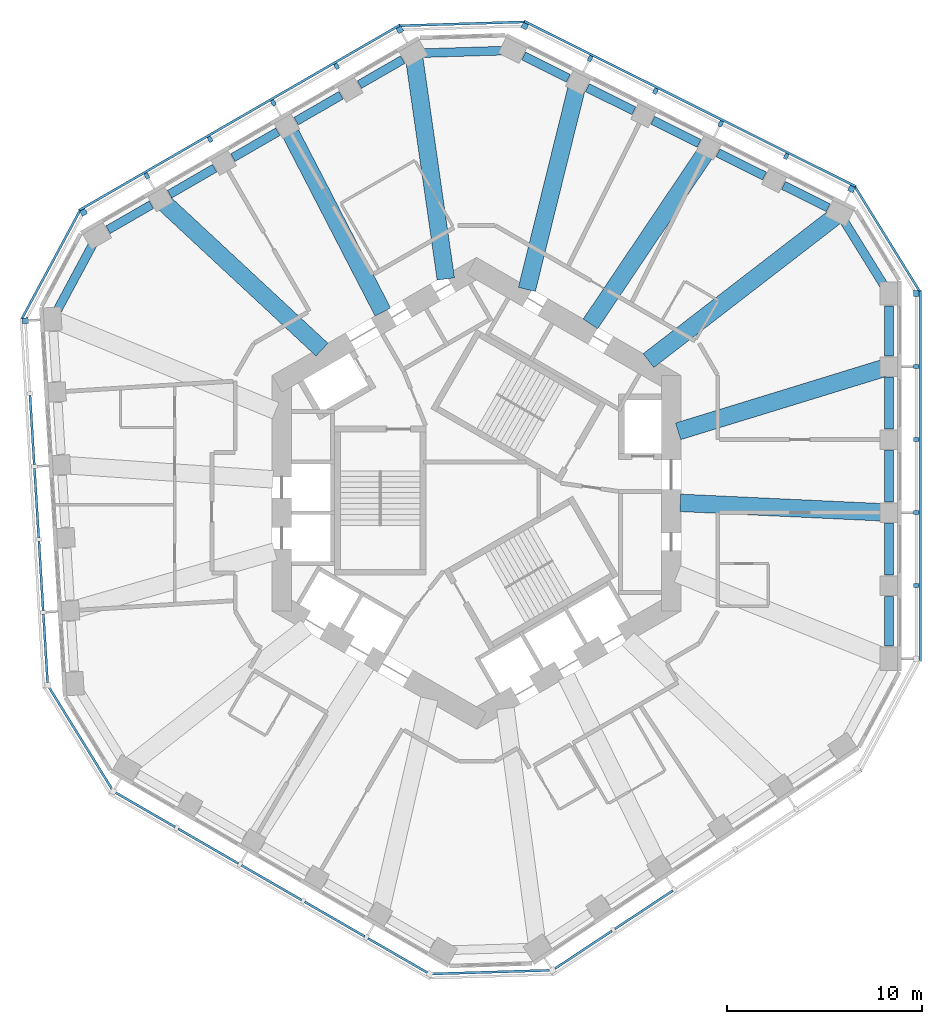
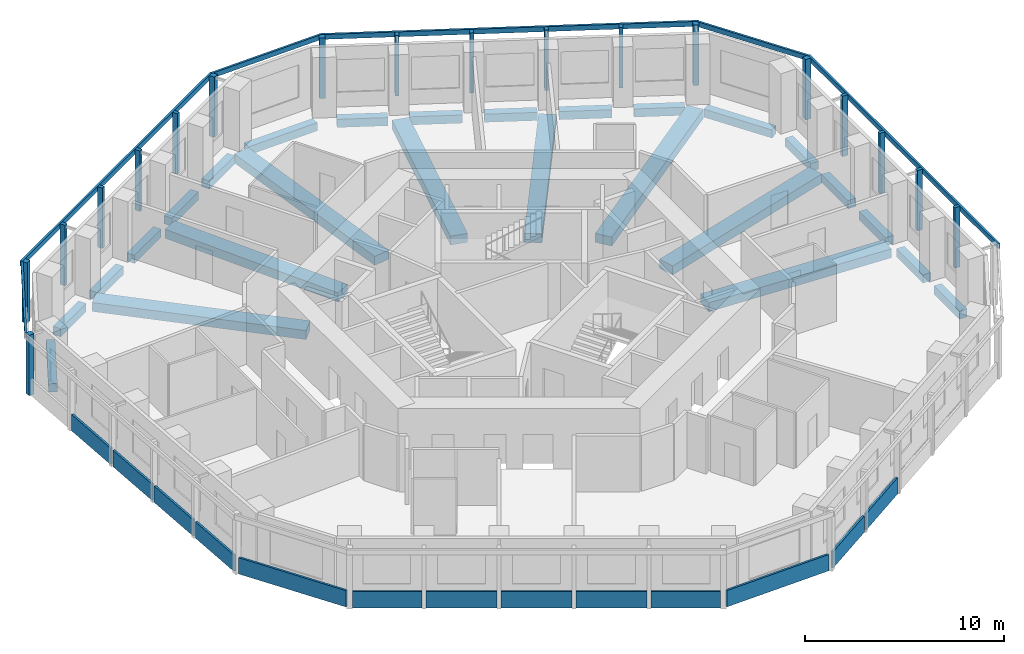
# One storey, part 2 of 11: 26 beams, 24 members, 13 plates, 11 elements without a shape of their own.
"""IFC4 building model written with IfcOpenShell, lengths in metres."""

from ifc_helpers import new_model, si_unit, direction, frame, origin, origin_2d, place, context, subcontext, project, spatial, rectangle, extrude, material, layer, layer_set, material_profile, profile_set, type_object, element, aggregate, save


model = new_model("IFC4")

# Units and contexts
model_context = context("Model", 3, precision=1e-05, world=origin(), true_north=direction((0.0, 1.0)))
body_context = subcontext(model_context, "Body", "Model", "MODEL_VIEW")
ifc_project = project(units=[si_unit("LENGTHUNIT", "METRE"), si_unit("AREAUNIT", "SQUARE_METRE"), si_unit("VOLUMEUNIT", "CUBIC_METRE"), si_unit("PLANEANGLEUNIT", "RADIAN"), si_unit("MASSUNIT", "GRAM", prefix="KILO")], contexts=[model_context])

# Site, building, storey
site_placement = place(None, origin())
site = spatial("IfcSite", under=ifc_project, at=site_placement, CompositionType="ELEMENT")
building_placement = place(site_placement, origin())
building = spatial("IfcBuilding", under=site, at=building_placement, Name="Vanh Sen Convention Tower", CompositionType="ELEMENT")
storey_placement = place(building_placement, frame((0.0, 0.0, 154.0)))
storey = spatial("IfcBuildingStorey", under=building, at=storey_placement, Name="L37", CompositionType="ELEMENT", Elevation=154.0)

# Curtain wall, member
ifc_material_1 = material(Name="Concrete C50/60", Category="concrete")
curtain_wall_type = type_object("IfcCurtainWallType", Name="Outer skin office zone", PredefinedType="NOTDEFINED", material=ifc_material_1)
curtain_wall_1_placement = place(storey_placement, origin())
curtain_wall_1 = element("IfcCurtainWall", 1, at=curtain_wall_1_placement, inside=storey, type_object=curtain_wall_type, Name="OUTER SKIN E L37", PredefinedType="NOTDEFINED")
ifc_material_profile_1 = material_profile(ifc_material_1, rectangle(XDim=0.300048828125, YDim=0.300048828125, at=origin_2d()), Name="Outer skin precast corner fin 300 x 300")
ifc_profile_set_1 = profile_set([ifc_material_profile_1], Name="Concrete C50/60")
member_type_1 = type_object("IfcMemberType", Name="Outer skin precast corner fin 300 x 300", PredefinedType="MULLION", material=ifc_profile_set_1)
member_1_placement = place(storey_placement, frame((22.60009765625, 10.26953125, 0.0), z_axis=(0.0, 0.0, 1.0), x_axis=(0.0, 1.0, 0.0)))
member_1 = element("IfcMember", 2, at=member_1_placement, type_object=member_type_1, Name="OUTER SKIN CORNER FIN 6 E L37", PredefinedType="MULLION", context=body_context, shape_type="SweptSolid", body=[
    extrude(rectangle(XDim=0.300048828125, YDim=0.300048828125, at=origin_2d()), origin(), (0.0, 0.0, 1.0), 3.699951171875),
])

# Curtain wall, members
curtain_wall_2_placement = place(storey_placement, origin())
curtain_wall_2 = element("IfcCurtainWall", 3, at=curtain_wall_2_placement, inside=storey, type_object=curtain_wall_type, Name="OUTER SKIN NE L37", PredefinedType="NOTDEFINED")
member_2_placement = place(storey_placement, frame((19.274658203125, 15.643310546875, 0.0), z_axis=(0.0, 0.0, 1.0), x_axis=(-0.894934361602, 0.44619781311, 0.0)))
member_2 = element("IfcMember", 4, at=member_2_placement, type_object=member_type_1, Name="OUTER SKIN CORNER FIN 1 NE L37", PredefinedType="MULLION", context=body_context, shape_type="SweptSolid", body=[
    extrude(rectangle(XDim=0.300048828125, YDim=0.300048828125, at=origin_2d()), origin(), (0.0, 0.0, 1.0), 3.699951171875),
])
member_3_placement = place(storey_placement, frame((2.476318359375, 24.0185546875, 0.0), z_axis=(0.0, 0.0, 1.0), x_axis=(-0.894934361602, 0.44619781311, 0.0)))
member_3 = element("IfcMember", 5, at=member_3_placement, type_object=member_type_1, Name="OUTER SKIN CORNER FIN 6 NE L37", PredefinedType="MULLION", context=body_context, shape_type="SweptSolid", body=[
    extrude(rectangle(XDim=0.300048828125, YDim=0.300048828125, at=origin_2d()), origin(), (0.0, 0.0, 1.0), 3.699951171875),
])

curtain_wall_3_placement = place(storey_placement, origin())
curtain_wall_3 = element("IfcCurtainWall", 6, at=curtain_wall_3_placement, inside=storey, type_object=curtain_wall_type, Name="OUTER SKIN NW L37", PredefinedType="NOTDEFINED")
member_4_placement = place(storey_placement, frame((-3.93798828125, 23.822509765625, 0.0), z_axis=(0.0, 0.0, 1.0), x_axis=(-0.866025403784, -0.5, 0.0)))
member_4 = element("IfcMember", 7, at=member_4_placement, type_object=member_type_1, Name="OUTER SKIN CORNER FIN 1 NW L37", PredefinedType="MULLION", context=body_context, shape_type="SweptSolid", body=[
    extrude(rectangle(XDim=0.300048828125, YDim=0.300048828125, at=origin_2d()), origin(), (0.0, 0.0, 1.0), 3.699951171875),
])
member_5_placement = place(storey_placement, frame((-20.193603515625, 14.4375, 0.0), z_axis=(0.0, 0.0, 1.0), x_axis=(-0.866025403784, -0.5, 0.0)))
member_5 = element("IfcMember", 8, at=member_5_placement, type_object=member_type_1, Name="OUTER SKIN CORNER FIN 6 NW L37", PredefinedType="MULLION", context=body_context, shape_type="SweptSolid", body=[
    extrude(rectangle(XDim=0.300048828125, YDim=0.300048828125, at=origin_2d()), origin(), (0.0, 0.0, 1.0), 3.699951171875),
])

# Curtain wall, member
curtain_wall_4_placement = place(storey_placement, origin())
curtain_wall_4 = element("IfcCurtainWall", 9, at=curtain_wall_4_placement, inside=storey, type_object=curtain_wall_type, Name="OUTER SKIN W L37", PredefinedType="NOTDEFINED")
member_6_placement = place(storey_placement, frame((-23.184814453125, 8.87060546875, 0.0), z_axis=(0.0, 0.0, 1.0), x_axis=(0.061048539535, -0.998134798422, 0.0)))
member_6 = element("IfcMember", 10, at=member_6_placement, type_object=member_type_1, Name="OUTER SKIN CORNER FIN 1 W L37", PredefinedType="MULLION", context=body_context, shape_type="SweptSolid", body=[
    extrude(rectangle(XDim=0.300048828125, YDim=0.300048828125, at=origin_2d()), origin(), (0.0, 0.0, 1.0), 3.699951171875),
])

# Member
ifc_material_profile_2 = material_profile(ifc_material_1, rectangle(XDim=0.199951171875, YDim=0.300048828125, at=origin_2d()), Name="Outer skin precast fin 200 x 300")
ifc_profile_set_2 = profile_set([ifc_material_profile_2], Name="Concrete C50/60")
member_type_2 = type_object("IfcMemberType", Name="Outer skin precast fin 200 x 300", PredefinedType="MULLION", material=ifc_profile_set_2)
member_7_placement = place(storey_placement, frame((22.60009765625, -4.746826171875, 0.0), z_axis=(0.0, 0.0, 1.0), x_axis=(0.0, 1.0, 0.0)))
member_7 = element("IfcMember", 11, at=member_7_placement, type_object=member_type_2, Name="OUTER SKIN fin 2 E L37", PredefinedType="MULLION", context=body_context, shape_type="SweptSolid", body=[
    extrude(rectangle(XDim=0.199951171875, YDim=0.300048828125, at=origin_2d()), origin(), (0.0, 0.0, 1.0), 3.699951171875),
])

member_8_placement = place(storey_placement, frame((22.60009765625, -0.992919921875, 0.0), z_axis=(0.0, 0.0, 1.0), x_axis=(0.0, 1.0, 0.0)))
member_8 = element("IfcMember", 12, at=member_8_placement, type_object=member_type_2, Name="OUTER SKIN fin 3 E L37", PredefinedType="MULLION", context=body_context, shape_type="SweptSolid", body=[
    extrude(rectangle(XDim=0.199951171875, YDim=0.300048828125, at=origin_2d()), origin(), (0.0, 0.0, 1.0), 3.699951171875),
])

member_9_placement = place(storey_placement, frame((22.60009765625, 2.76123046875, 0.0), z_axis=(0.0, 0.0, 1.0), x_axis=(0.0, 1.0, 0.0)))
member_9 = element("IfcMember", 13, at=member_9_placement, type_object=member_type_2, Name="OUTER SKIN fin 4 E L37", PredefinedType="MULLION", context=body_context, shape_type="SweptSolid", body=[
    extrude(rectangle(XDim=0.199951171875, YDim=0.300048828125, at=origin_2d()), origin(), (0.0, 0.0, 1.0), 3.699951171875),
])

member_10_placement = place(storey_placement, frame((22.60009765625, 6.515380859375, 0.0), z_axis=(0.0, 0.0, 1.0), x_axis=(0.0, 1.0, 0.0)))
member_10 = element("IfcMember", 14, at=member_10_placement, type_object=member_type_2, Name="OUTER SKIN fin 5 E L37", PredefinedType="MULLION", context=body_context, shape_type="SweptSolid", body=[
    extrude(rectangle(XDim=0.199951171875, YDim=0.300048828125, at=origin_2d()), origin(), (0.0, 0.0, 1.0), 3.699951171875),
])

member_11_placement = place(storey_placement, frame((15.9150390625, 17.318359375, 0.0), z_axis=(0.0, 0.0, 1.0), x_axis=(-0.894934361602, 0.44619781311, 0.0)))
member_11 = element("IfcMember", 15, at=member_11_placement, type_object=member_type_2, Name="OUTER SKIN fin 2 NE L37", PredefinedType="MULLION", context=body_context, shape_type="SweptSolid", body=[
    extrude(rectangle(XDim=0.199951171875, YDim=0.300048828125, at=origin_2d()), origin(), (0.0, 0.0, 1.0), 3.699951171875),
])

member_12_placement = place(storey_placement, frame((12.555419921875, 18.993408203125, 0.0), z_axis=(0.0, 0.0, 1.0), x_axis=(-0.894934361602, 0.44619781311, 0.0)))
member_12 = element("IfcMember", 16, at=member_12_placement, type_object=member_type_2, Name="OUTER SKIN fin 3 NE L37", PredefinedType="MULLION", context=body_context, shape_type="SweptSolid", body=[
    extrude(rectangle(XDim=0.199951171875, YDim=0.300048828125, at=origin_2d()), origin(), (0.0, 0.0, 1.0), 3.699951171875),
])

member_13_placement = place(storey_placement, frame((9.195556640625, 20.66845703125, 0.0), z_axis=(0.0, 0.0, 1.0), x_axis=(-0.894934361602, 0.44619781311, 0.0)))
member_13 = element("IfcMember", 17, at=member_13_placement, type_object=member_type_2, Name="OUTER SKIN fin 4 NE L37", PredefinedType="MULLION", context=body_context, shape_type="SweptSolid", body=[
    extrude(rectangle(XDim=0.199951171875, YDim=0.300048828125, at=origin_2d()), origin(), (0.0, 0.0, 1.0), 3.699951171875),
])

member_14_placement = place(storey_placement, frame((5.8359375, 22.343505859375, 0.0), z_axis=(0.0, 0.0, 1.0), x_axis=(-0.894934361602, 0.44619781311, 0.0)))
member_14 = element("IfcMember", 18, at=member_14_placement, type_object=member_type_2, Name="OUTER SKIN fin 5 NE L37", PredefinedType="MULLION", context=body_context, shape_type="SweptSolid", body=[
    extrude(rectangle(XDim=0.199951171875, YDim=0.300048828125, at=origin_2d()), origin(), (0.0, 0.0, 1.0), 3.699951171875),
])

member_15_placement = place(storey_placement, frame((-7.189208984375, 21.945556640625, 0.0), z_axis=(0.0, 0.0, 1.0), x_axis=(-0.866025403784, -0.5, 0.0)))
member_15 = element("IfcMember", 19, at=member_15_placement, type_object=member_type_2, Name="OUTER SKIN fin 2 NW L37", PredefinedType="MULLION", context=body_context, shape_type="SweptSolid", body=[
    extrude(rectangle(XDim=0.199951171875, YDim=0.300048828125, at=origin_2d()), origin(), (0.0, 0.0, 1.0), 3.699951171875),
])

member_16_placement = place(storey_placement, frame((-10.440185546875, 20.068603515625, 0.0), z_axis=(0.0, 0.0, 1.0), x_axis=(-0.866025403784, -0.5, 0.0)))
member_16 = element("IfcMember", 20, at=member_16_placement, type_object=member_type_2, Name="OUTER SKIN fin 3 NW L37", PredefinedType="MULLION", context=body_context, shape_type="SweptSolid", body=[
    extrude(rectangle(XDim=0.199951171875, YDim=0.300048828125, at=origin_2d()), origin(), (0.0, 0.0, 1.0), 3.699951171875),
])

member_17_placement = place(storey_placement, frame((-13.69140625, 18.19140625, 0.0), z_axis=(0.0, 0.0, 1.0), x_axis=(-0.866025403784, -0.5, 0.0)))
member_17 = element("IfcMember", 21, at=member_17_placement, type_object=member_type_2, Name="OUTER SKIN fin 4 NW L37", PredefinedType="MULLION", context=body_context, shape_type="SweptSolid", body=[
    extrude(rectangle(XDim=0.199951171875, YDim=0.300048828125, at=origin_2d()), origin(), (0.0, 0.0, 1.0), 3.699951171875),
])

member_18_placement = place(storey_placement, frame((-16.9423828125, 16.314453125, 0.0), z_axis=(0.0, 0.0, 1.0), x_axis=(-0.866025403784, -0.5, 0.0)))
member_18 = element("IfcMember", 22, at=member_18_placement, type_object=member_type_2, Name="OUTER SKIN fin 5 NW L37", PredefinedType="MULLION", context=body_context, shape_type="SweptSolid", body=[
    extrude(rectangle(XDim=0.199951171875, YDim=0.300048828125, at=origin_2d()), origin(), (0.0, 0.0, 1.0), 3.699951171875),
])

ifc_material_profile_3 = material_profile(ifc_material_1, rectangle(XDim=0.1201171875, YDim=0.300048828125, at=origin_2d()), Name="Outer skin precast spandrel band 300 x 120")
ifc_profile_set_3 = profile_set([ifc_material_profile_3], Name="Concrete C50/60")
member_type_3 = type_object("IfcMemberType", Name="Outer skin precast spandrel band 300 x 120", PredefinedType="USERDEFINED", material=ifc_profile_set_3)
member_19_placement = place(storey_placement, frame((22.81005859375, -8.65087890625, 3.550048828125), z_axis=(0.0, 1.0, 0.0), x_axis=(-1.0, 0.0, 0.0)))
member_19 = element("IfcMember", 23, at=member_19_placement, type_object=member_type_3, Name="OUTER SKIN spandrel band E L37", ObjectType="TRANSOM", PredefinedType="USERDEFINED", context=body_context, shape_type="SweptSolid", body=[
    extrude(rectangle(XDim=0.1201171875, YDim=0.300048828125, at=origin_2d()), origin(), (0.0, 0.0, 1.0), 19.0703125),
])

aggregate(curtain_wall_1, [member_7, member_8, member_9, member_10, member_1, member_19])

# Curtain wall, member
curtain_wall_5_placement = place(storey_placement, origin())
curtain_wall_5 = element("IfcCurtainWall", 24, at=curtain_wall_5_placement, inside=storey, type_object=curtain_wall_type, Name="OUTER SKIN CH1 L37", PredefinedType="NOTDEFINED")
member_20_placement = place(storey_placement, frame((22.778564453125, 10.3798828125, 3.550048828125), z_axis=(-0.526173726926, 0.850377098171, 0.0), x_axis=(-0.850377098171, -0.526173726926, 0.0)))
member_20 = element("IfcMember", 25, at=member_20_placement, type_object=member_type_3, Name="OUTER SKIN spandrel band CH1 L37", ObjectType="TRANSOM", PredefinedType="USERDEFINED", context=body_context, shape_type="SweptSolid", body=[
    extrude(rectangle(XDim=0.1201171875, YDim=0.300048828125, at=origin_2d()), origin(), (0.0, 0.0, 1.0), 6.319580078125),
])
aggregate(curtain_wall_5, [member_20])

# Member
member_21_placement = place(storey_placement, frame((19.502685546875, 15.764404296875, 3.550048828125), z_axis=(-0.894941234474, 0.446184027996, 0.0), x_axis=(-0.446184027996, -0.894941234474, 0.0)))
member_21 = element("IfcMember", 26, at=member_21_placement, type_object=member_type_3, Name="OUTER SKIN spandrel band NE L37", ObjectType="TRANSOM", PredefinedType="USERDEFINED", context=body_context, shape_type="SweptSolid", body=[
    extrude(rectangle(XDim=0.1201171875, YDim=0.300048828125, at=origin_2d()), origin(), (0.0, 0.0, 1.0), 19.07080078125),
])

aggregate(curtain_wall_2, [member_2, member_11, member_12, member_13, member_14, member_3, member_21])

# Curtain wall, member
curtain_wall_6_placement = place(storey_placement, origin())
curtain_wall_6 = element("IfcCurtainWall", 27, at=curtain_wall_6_placement, inside=storey, type_object=curtain_wall_type, Name="OUTER SKIN CH2 L37", PredefinedType="NOTDEFINED")
member_22_placement = place(storey_placement, frame((2.4697265625, 24.228515625, 3.550048828125), z_axis=(-0.999533221695, -0.030550592913, 0.0), x_axis=(0.030550592913, -0.999533221695, 0.0)))
member_22 = element("IfcMember", 28, at=member_22_placement, type_object=member_type_3, Name="OUTER SKIN spandrel band CH2 L37", ObjectType="TRANSOM", PredefinedType="USERDEFINED", context=body_context, shape_type="SweptSolid", body=[
    extrude(rectangle(XDim=0.1201171875, YDim=0.300048828125, at=origin_2d()), origin(), (0.0, 0.0, 1.0), 6.4169921875),
])
aggregate(curtain_wall_6, [member_22])

# Member
member_23_placement = place(storey_placement, frame((-3.9130859375, 24.07958984375, 3.550048828125), z_axis=(-0.866023136587, -0.500003926881, 0.0), x_axis=(0.500003926881, -0.866023136587, 0.0)))
member_23 = element("IfcMember", 29, at=member_23_placement, type_object=member_type_3, Name="OUTER SKIN spandrel band NW L37", ObjectType="TRANSOM", PredefinedType="USERDEFINED", context=body_context, shape_type="SweptSolid", body=[
    extrude(rectangle(XDim=0.1201171875, YDim=0.300048828125, at=origin_2d()), origin(), (0.0, 0.0, 1.0), 19.070556640625),
])

aggregate(curtain_wall_3, [member_4, member_15, member_16, member_17, member_18, member_5, member_23])

# Curtain wall, member
curtain_wall_7_placement = place(storey_placement, origin())
curtain_wall_7 = element("IfcCurtainWall", 30, at=curtain_wall_7_placement, inside=storey, type_object=curtain_wall_type, Name="OUTER SKIN CH3 L37", PredefinedType="NOTDEFINED")
member_24_placement = place(storey_placement, frame((-20.378662109375, 14.536865234375, 3.550048828125), z_axis=(-0.47333707755, -0.880881383057, 0.0), x_axis=(0.880881383057, -0.47333707755, 0.0)))
member_24 = element("IfcMember", 31, at=member_24_placement, type_object=member_type_3, Name="OUTER SKIN spandrel band CH3 L37", ObjectType="TRANSOM", PredefinedType="USERDEFINED", context=body_context, shape_type="SweptSolid", body=[
    extrude(rectangle(XDim=0.1201171875, YDim=0.300048828125, at=origin_2d()), origin(), (0.0, 0.0, 1.0), 6.3193359375),
])
aggregate(curtain_wall_7, [member_24])

# Beams
ifc_material_2 = material(Name="Concrete C50/60", Category="concrete")
ifc_material_profile_4 = material_profile(ifc_material_2, rectangle(XDim=0.89990234375, YDim=0.550048828125, at=origin_2d()), Name="RC 900X550")
ifc_profile_set_4 = profile_set([ifc_material_profile_4], Name="Concrete C50/60")
beam_type_1 = type_object("IfcBeamType", Name="Radial floor beam 900 x 550", PredefinedType="BEAM", material=ifc_profile_set_4)
beam_1_placement = place(storey_placement, frame((20.77587890625, -0.972900390625, -0.554931640625), z_axis=(-0.998905318596, 0.046777820399, 0.0), x_axis=(-0.046777820399, -0.998905318596, 0.0)))
element("IfcBeam", 32, at=beam_1_placement, inside=storey, type_object=beam_type_1, Name="Radial beam 02 L37", PredefinedType="BEAM", context=body_context, shape_type="SweptSolid", body=[
    extrude(rectangle(XDim=0.89990234375, YDim=0.550048828125, at=origin_2d()), origin(), (0.0, 0.0, 1.0), 10.31298828125),
])
beam_2_placement = place(storey_placement, frame((20.886962890625, 6.419189453125, -0.554931640625), z_axis=(-0.955874849734, -0.293774184784, 0.0), x_axis=(0.293774184784, -0.955874849734, 0.0)))
element("IfcBeam", 33, at=beam_2_placement, inside=storey, type_object=beam_type_1, Name="Radial beam 03 L37", PredefinedType="BEAM", context=body_context, shape_type="SweptSolid", body=[
    extrude(rectangle(XDim=0.89990234375, YDim=0.550048828125, at=origin_2d()), origin(), (0.0, 0.0, 1.0), 11.009765625),
])
beam_3_placement = place(storey_placement, frame((18.4306640625, 14.22119140625, -0.554931640625), z_axis=(-0.791711533114, -0.610895120568, 0.0), x_axis=(0.610895120568, -0.791711533114, 0.0)))
element("IfcBeam", 34, at=beam_3_placement, inside=storey, type_object=beam_type_1, Name="Radial beam 04 L37", PredefinedType="BEAM", context=body_context, shape_type="SweptSolid", body=[
    extrude(rectangle(XDim=0.89990234375, YDim=0.550048828125, at=origin_2d()), origin(), (0.0, 0.0, 1.0), 12.11669921875),
])
beam_4_placement = place(storey_placement, frame((11.712890625, 17.416748046875, -0.554931640625), z_axis=(-0.558049212229, -0.829807855308, 0.0), x_axis=(0.829807855308, -0.558049212229, 0.0)))
element("IfcBeam", 35, at=beam_4_placement, inside=storey, type_object=beam_type_1, Name="Radial beam 05 L37", PredefinedType="BEAM", context=body_context, shape_type="SweptSolid", body=[
    extrude(rectangle(XDim=0.89990234375, YDim=0.550048828125, at=origin_2d()), origin(), (0.0, 0.0, 1.0), 10.500244140625),
])
beam_5_placement = place(storey_placement, frame((5.1259765625, 20.74560546875, -0.554931640625), z_axis=(-0.239872927966, -0.970804294608, 0.0), x_axis=(0.970804294608, -0.239872927966, 0.0)))
element("IfcBeam", 36, at=beam_5_placement, inside=storey, type_object=beam_type_1, Name="Radial beam 06 L37", PredefinedType="BEAM", context=body_context, shape_type="SweptSolid", body=[
    extrude(rectangle(XDim=0.89990234375, YDim=0.550048828125, at=origin_2d()), origin(), (0.0, 0.0, 1.0), 10.574951171875),
])
beam_6_placement = place(storey_placement, frame((-3.195556640625, 22.31396484375, -0.554931640625), z_axis=(0.141765709165, -0.989900239269, 0.0), x_axis=(0.989900239269, 0.141765709165, 0.0)))
element("IfcBeam", 37, at=beam_6_placement, inside=storey, type_object=beam_type_1, Name="Radial beam 07 L37", PredefinedType="BEAM", context=body_context, shape_type="SweptSolid", body=[
    extrude(rectangle(XDim=0.89990234375, YDim=0.550048828125, at=origin_2d()), origin(), (0.0, 0.0, 1.0), 11.414306640625),
])
beam_7_placement = place(storey_placement, frame((-9.54541015625, 18.47900390625, -0.554931640625), z_axis=(0.458935346364, -0.888469666257, 0.0), x_axis=(0.888469666257, 0.458935346364, 0.0)))
element("IfcBeam", 38, at=beam_7_placement, inside=storey, type_object=beam_type_1, Name="Radial beam 08 L37", PredefinedType="BEAM", context=body_context, shape_type="SweptSolid", body=[
    extrude(rectangle(XDim=0.89990234375, YDim=0.550048828125, at=origin_2d()), origin(), (0.0, 0.0, 1.0), 10.313232421875),
])
beam_8_placement = place(storey_placement, frame((-16.002685546875, 14.87890625, -0.554931640625), z_axis=(0.732351052199, -0.680927262153, 0.0), x_axis=(0.680927262153, 0.732351052199, 0.0)))
element("IfcBeam", 39, at=beam_8_placement, inside=storey, type_object=beam_type_1, Name="Radial beam 09 L37", PredefinedType="BEAM", context=body_context, shape_type="SweptSolid", body=[
    extrude(rectangle(XDim=0.89990234375, YDim=0.550048828125, at=origin_2d()), origin(), (0.0, 0.0, 1.0), 11.009765625),
])
ifc_material_profile_5 = material_profile(ifc_material_2, rectangle(XDim=0.449951171875, YDim=0.5, at=origin_2d()), Name="RC 450X500")
ifc_profile_set_5 = profile_set([ifc_material_profile_5], Name="Concrete C50/60")
beam_type_2 = type_object("IfcBeamType", Name="Spandrel beam 450 x 500", PredefinedType="SPANDREL", material=ifc_profile_set_5)
beam_9_placement = place(storey_placement, frame((21.199951171875, -7.85595703125, -0.530029296875), z_axis=(0.0, 1.0, 0.0), x_axis=(-1.0, 0.0, 0.0)))
element("IfcBeam", 40, at=beam_9_placement, inside=storey, type_object=beam_type_2, Name="Spandrel beam 01 L37", PredefinedType="SPANDREL", context=body_context, shape_type="SweptSolid", body=[
    extrude(rectangle(XDim=0.449951171875, YDim=0.5, at=origin_2d()), origin(), (0.0, 0.0, 1.0), 2.56396484375),
])
for number, where, z_axis, x_axis, name in (
    (41, (21.199951171875, -4.201904296875, -0.530029296875), (0.0, 1.0, 0.0), (-1.0, 0.0, 0.0), "Spandrel beam 02 L37"),
    (42, (21.199951171875, -0.44775390625, -0.530029296875), (0.0, 1.0, 0.0), (-1.0, 0.0, 0.0), "Spandrel beam 03 L37"),
    (43, (21.199951171875, 3.306396484375, -0.530029296875), (0.0, 1.0, 0.0), (-1.0, 0.0, 0.0), "Spandrel beam 04 L37"),
):
    element("IfcBeam", number, at=place(storey_placement, frame(where, z_axis=z_axis, x_axis=x_axis)), inside=storey, type_object=beam_type_2, Name=name, PredefinedType="SPANDREL", context=body_context, shape_type="SweptSolid", body=[
        extrude(rectangle(XDim=0.449951171875, YDim=0.5, at=origin_2d()), origin(), (0.0, 0.0, 1.0), 2.6640625),
    ])
beam_10_placement = place(storey_placement, frame((21.199951171875, 7.060302734375, -0.530029296875), z_axis=(0.0, 1.0, 0.0), x_axis=(-1.0, 0.0, 0.0)))
element("IfcBeam", 44, at=beam_10_placement, inside=storey, type_object=beam_type_2, Name="Spandrel beam 05 L37", PredefinedType="SPANDREL", context=body_context, shape_type="SweptSolid", body=[
    extrude(rectangle(XDim=0.449951171875, YDim=0.5, at=origin_2d()), origin(), (0.0, 0.0, 1.0), 2.564208984375),
])
beam_11_placement = place(storey_placement, frame((20.944091796875, 10.683349609375, -0.530029296875), z_axis=(-0.526220063476, 0.850348425526, 0.0), x_axis=(-0.850348425526, -0.526220063476, 0.0)))
element("IfcBeam", 45, at=beam_11_placement, inside=storey, type_object=beam_type_2, Name="Spandrel beam 06 L37", PredefinedType="SPANDREL", context=body_context, shape_type="SweptSolid", body=[
    extrude(rectangle(XDim=0.449951171875, YDim=0.5, at=origin_2d()), origin(), (0.0, 0.0, 1.0), 3.873046875),
])
beam_12_placement = place(storey_placement, frame((18.07275390625, 14.67822265625, -0.530029296875), z_axis=(-0.894940769459, 0.446184960707, 0.0), x_axis=(-0.446184960707, -0.894940769459, 0.0)))
element("IfcBeam", 46, at=beam_12_placement, inside=storey, type_object=beam_type_2, Name="Spandrel beam 07 L37", PredefinedType="SPANDREL", context=body_context, shape_type="SweptSolid", body=[
    extrude(rectangle(XDim=0.449951171875, YDim=0.5, at=origin_2d()), origin(), (0.0, 0.0, 1.0), 2.56396484375),
])
for number, where, z_axis, x_axis, name in (
    (47, (14.802490234375, 16.30859375, -0.530029296875), (-0.894939776695, 0.446186951948, 0.0), (-0.446186951948, -0.894939776695, 0.0), "Spandrel beam 08 L37"),
    (48, (11.44287109375, 17.983642578125, -0.530029296875), (-0.894939776695, 0.446186951948, 0.0), (-0.446186951948, -0.894939776695, 0.0), "Spandrel beam 09 L37"),
    (49, (8.083251953125, 19.65869140625, -0.530029296875), (-0.894939776695, 0.446186951948, 0.0), (-0.446186951948, -0.894939776695, 0.0), "Spandrel beam 10 L37"),
):
    element("IfcBeam", number, at=place(storey_placement, frame(where, z_axis=z_axis, x_axis=x_axis)), inside=storey, type_object=beam_type_2, Name=name, PredefinedType="SPANDREL", context=body_context, shape_type="SweptSolid", body=[
        extrude(rectangle(XDim=0.449951171875, YDim=0.5, at=origin_2d()), origin(), (0.0, 0.0, 1.0), 2.6640625),
    ])
beam_13_placement = place(storey_placement, frame((4.723388671875, 21.333984375, -0.530029296875), z_axis=(-0.894978788678, 0.446108695069, 0.0), x_axis=(-0.446108695069, -0.894978788678, 0.0)))
element("IfcBeam", 50, at=beam_13_placement, inside=storey, type_object=beam_type_2, Name="Spandrel beam 11 L37", PredefinedType="SPANDREL", context=body_context, shape_type="SweptSolid", body=[
    extrude(rectangle(XDim=0.449951171875, YDim=0.5, at=origin_2d()), origin(), (0.0, 0.0, 1.0), 2.56396484375),
])
beam_14_placement = place(storey_placement, frame((1.32470703125, 22.74951171875, -0.530029296875), z_axis=(-0.999533715833, -0.030534421783, 0.0), x_axis=(0.030534421783, -0.999533715833, 0.0)))
element("IfcBeam", 51, at=beam_14_placement, inside=storey, type_object=beam_type_2, Name="Spandrel beam 12 L37", PredefinedType="SPANDREL", context=body_context, shape_type="SweptSolid", body=[
    extrude(rectangle(XDim=0.449951171875, YDim=0.5, at=origin_2d()), origin(), (0.0, 0.0, 1.0), 4.037841796875),
])
beam_15_placement = place(storey_placement, frame((-3.79638671875, 22.28759765625, -0.530029296875), z_axis=(-0.866049234614, -0.499958721521, 0.0), x_axis=(0.499958721521, -0.866049234614, 0.0)))
element("IfcBeam", 52, at=beam_15_placement, inside=storey, type_object=beam_type_2, Name="Spandrel beam 13 L37", PredefinedType="SPANDREL", context=body_context, shape_type="SweptSolid", body=[
    extrude(rectangle(XDim=0.449951171875, YDim=0.5, at=origin_2d()), origin(), (0.0, 0.0, 1.0), 2.564208984375),
])
beam_16_placement = place(storey_placement, frame((-6.961181640625, 20.460693359375, -0.530029296875), z_axis=(-0.866023818221, -0.500002746266, 0.0), x_axis=(0.500002746266, -0.866023818221, 0.0)))
element("IfcBeam", 53, at=beam_16_placement, inside=storey, type_object=beam_type_2, Name="Spandrel beam 14 L37", PredefinedType="SPANDREL", context=body_context, shape_type="SweptSolid", body=[
    extrude(rectangle(XDim=0.449951171875, YDim=0.5, at=origin_2d()), origin(), (0.0, 0.0, 1.0), 2.6640625),
])
beam_17_placement = place(storey_placement, frame((-10.212158203125, 18.58349609375, -0.530029296875), z_axis=(-0.866063499924, -0.499934009745, 0.0), x_axis=(0.499934009745, -0.866063499924, 0.0)))
element("IfcBeam", 54, at=beam_17_placement, inside=storey, type_object=beam_type_2, Name="Spandrel beam 15 L37", PredefinedType="SPANDREL", context=body_context, shape_type="SweptSolid", body=[
    extrude(rectangle(XDim=0.449951171875, YDim=0.5, at=origin_2d()), origin(), (0.0, 0.0, 1.0), 2.663818359375),
])
beam_18_placement = place(storey_placement, frame((-13.46337890625, 16.70654296875, -0.530029296875), z_axis=(-0.866023818221, -0.500002746266, 0.0), x_axis=(0.500002746266, -0.866023818221, 0.0)))
element("IfcBeam", 55, at=beam_18_placement, inside=storey, type_object=beam_type_2, Name="Spandrel beam 16 L37", PredefinedType="SPANDREL", context=body_context, shape_type="SweptSolid", body=[
    extrude(rectangle(XDim=0.449951171875, YDim=0.5, at=origin_2d()), origin(), (0.0, 0.0, 1.0), 2.6640625),
])
beam_19_placement = place(storey_placement, frame((-16.714599609375, 14.82958984375, -0.530029296875), z_axis=(-0.866025432576, -0.499999950132, 0.0), x_axis=(0.499999950132, -0.866025432576, 0.0)))
element("IfcBeam", 56, at=beam_19_placement, inside=storey, type_object=beam_type_2, Name="Spandrel beam 17 L37", PredefinedType="SPANDREL", context=body_context, shape_type="SweptSolid", body=[
    extrude(rectangle(XDim=0.449951171875, YDim=0.5, at=origin_2d()), origin(), (0.0, 0.0, 1.0), 2.56396484375),
])
beam_20_placement = place(storey_placement, frame((-19.72412109375, 12.79638671875, -0.530029296875), z_axis=(-0.473295157781, -0.880903907144, 0.0), x_axis=(0.880903907144, -0.473295157781, 0.0)))
element("IfcBeam", 57, at=beam_20_placement, inside=storey, type_object=beam_type_2, Name="Spandrel beam 18 L37", PredefinedType="SPANDREL", context=body_context, shape_type="SweptSolid", body=[
    extrude(rectangle(XDim=0.449951171875, YDim=0.5, at=origin_2d()), origin(), (0.0, 0.0, 1.0), 3.872802734375),
])

# Plate
ifc_layer = layer(ifc_material_1, 0.1201171875)
ifc_layer_set = layer_set([ifc_layer], Name="Concrete C50/60")
plate_type = type_object("IfcPlateType", Name="Outer skin precast screen panel 120", PredefinedType="CURTAIN_PANEL", material=ifc_layer_set)
plate_1_placement = place(storey_placement, frame((-22.841064453125, 3.25, 0.0), z_axis=(0.0, 0.0, 1.0), x_axis=(0.061052023682, -0.998134585316, 0.0)))
plate_1 = element("IfcPlate", 58, at=plate_1_placement, type_object=plate_type, Name="OUTER SKIN screen panel W-2", PredefinedType="CURTAIN_PANEL", context=body_context, shape_type="SweptSolid", body=[
    extrude(rectangle(XDim=3.55419921875, YDim=0.1201171875, at=origin_2d()), origin(), (0.0, 0.0, 1.0), 1.0),
])

plate_2_placement = place(storey_placement, frame((-22.61181640625, -0.4970703125, 0.0), z_axis=(0.0, 0.0, 1.0), x_axis=(0.061053765756, -0.998134478759, 0.0)))
plate_2 = element("IfcPlate", 59, at=plate_2_placement, type_object=plate_type, Name="OUTER SKIN screen panel W-3", PredefinedType="CURTAIN_PANEL", context=body_context, shape_type="SweptSolid", body=[
    extrude(rectangle(XDim=3.55419921875, YDim=0.1201171875, at=origin_2d()), origin(), (0.0, 0.0, 1.0), 1.0),
])

plate_3_placement = place(storey_placement, frame((-22.382568359375, -4.244140625, 0.0), z_axis=(0.0, 0.0, 1.0), x_axis=(0.061025892559, -0.998136183312, 0.0)))
plate_3 = element("IfcPlate", 60, at=plate_3_placement, type_object=plate_type, Name="OUTER SKIN screen panel W-4", PredefinedType="CURTAIN_PANEL", context=body_context, shape_type="SweptSolid", body=[
    extrude(rectangle(XDim=3.55419921875, YDim=0.1201171875, at=origin_2d()), origin(), (0.0, 0.0, 1.0), 1.0),
])

plate_4_placement = place(storey_placement, frame((-22.155029296875, -7.96630859375, 0.0), z_axis=(0.0, 0.0, 1.0), x_axis=(0.061053765756, -0.998134478759, 0.0)))
plate_4 = element("IfcPlate", 61, at=plate_4_placement, type_object=plate_type, Name="OUTER SKIN screen panel W-5", PredefinedType="CURTAIN_PANEL", context=body_context, shape_type="SweptSolid", body=[
    extrude(rectangle(XDim=3.504150390625, YDim=0.1201171875, at=origin_2d()), origin(), (0.0, 0.0, 1.0), 1.0),
])

aggregate(curtain_wall_4, [member_6, plate_1, plate_2, plate_3, plate_4])

# Curtain wall, plate
curtain_wall_8_placement = place(storey_placement, origin())
curtain_wall_8 = element("IfcCurtainWall", 62, at=curtain_wall_8_placement, inside=storey, type_object=curtain_wall_type, Name="OUTER SKIN CH4 L37", PredefinedType="NOTDEFINED")
plate_5_placement = place(storey_placement, frame((-20.3505859375, -12.59326171875, 0.0), z_axis=(0.0, 0.0, 1.0), x_axis=(0.526218376078, -0.850349469734, 0.0)))
plate_5 = element("IfcPlate", 63, at=plate_5_placement, type_object=plate_type, Name="OUTER SKIN screen panel CH4-1", PredefinedType="CURTAIN_PANEL", context=body_context, shape_type="SweptSolid", body=[
    extrude(rectangle(XDim=6.1171875, YDim=0.1201171875, at=origin_2d()), origin(), (0.0, 0.0, 1.0), 1.0),
])
aggregate(curtain_wall_8, [plate_5])

# Curtain wall, plates
curtain_wall_9_placement = place(storey_placement, origin())
curtain_wall_9 = element("IfcCurtainWall", 64, at=curtain_wall_9_placement, inside=storey, type_object=curtain_wall_type, Name="OUTER SKIN SW L37", PredefinedType="NOTDEFINED")
plate_6_placement = place(storey_placement, frame((-17.014892578125, -16.272705078125, 0.0), z_axis=(0.0, 0.0, 1.0), x_axis=(0.86602365845, -0.500003022996, 0.0)))
plate_6 = element("IfcPlate", 65, at=plate_6_placement, type_object=plate_type, Name="OUTER SKIN screen panel SW-1", PredefinedType="CURTAIN_PANEL", context=body_context, shape_type="SweptSolid", body=[
    extrude(rectangle(XDim=3.504150390625, YDim=0.1201171875, at=origin_2d()), origin(), (0.0, 0.0, 1.0), 1.0),
])
plate_7_placement = place(storey_placement, frame((-13.785400390625, -18.13720703125, 0.0), z_axis=(0.0, 0.0, 1.0), x_axis=(0.866028021766, -0.499995465495, 0.0)))
plate_7 = element("IfcPlate", 66, at=plate_7_placement, type_object=plate_type, Name="OUTER SKIN screen panel SW-2", PredefinedType="CURTAIN_PANEL", context=body_context, shape_type="SweptSolid", body=[
    extrude(rectangle(XDim=3.553955078125, YDim=0.1201171875, at=origin_2d()), origin(), (0.0, 0.0, 1.0), 1.0),
])
plate_8_placement = place(storey_placement, frame((-10.5341796875, -20.014404296875, 0.0), z_axis=(0.0, 0.0, 1.0), x_axis=(0.86602365845, -0.500003022996, 0.0)))
plate_8 = element("IfcPlate", 67, at=plate_8_placement, type_object=plate_type, Name="OUTER SKIN screen panel SW-3", PredefinedType="CURTAIN_PANEL", context=body_context, shape_type="SweptSolid", body=[
    extrude(rectangle(XDim=3.55419921875, YDim=0.1201171875, at=origin_2d()), origin(), (0.0, 0.0, 1.0), 1.0),
])
plate_9_placement = place(storey_placement, frame((-7.283203125, -21.891357421875, 0.0), z_axis=(0.0, 0.0, 1.0), x_axis=(0.866016677006, -0.500015114919, 0.0)))
plate_9 = element("IfcPlate", 68, at=plate_9_placement, type_object=plate_type, Name="OUTER SKIN screen panel SW-4", PredefinedType="CURTAIN_PANEL", context=body_context, shape_type="SweptSolid", body=[
    extrude(rectangle(XDim=3.55419921875, YDim=0.1201171875, at=origin_2d()), origin(), (0.0, 0.0, 1.0), 1.0),
])
plate_10_placement = place(storey_placement, frame((-4.0537109375, -23.755859375, 0.0), z_axis=(0.0, 0.0, 1.0), x_axis=(0.866035002936, -0.499983373414, 0.0)))
plate_10 = element("IfcPlate", 69, at=plate_10_placement, type_object=plate_type, Name="OUTER SKIN screen panel SW-5", PredefinedType="CURTAIN_PANEL", context=body_context, shape_type="SweptSolid", body=[
    extrude(rectangle(XDim=3.504150390625, YDim=0.1201171875, at=origin_2d()), origin(), (0.0, 0.0, 1.0), 1.0),
])
aggregate(curtain_wall_9, [plate_6, plate_7, plate_8, plate_9, plate_10])

# Curtain wall, plate
curtain_wall_10_placement = place(storey_placement, origin())
curtain_wall_10 = element("IfcCurtainWall", 70, at=curtain_wall_10_placement, inside=storey, type_object=curtain_wall_type, Name="OUTER SKIN CH5 L37", PredefinedType="NOTDEFINED")
plate_11_placement = place(storey_placement, frame((0.751953125, -24.6103515625, 0.0), z_axis=(0.0, 0.0, 1.0), x_axis=(0.999533537535, 0.030540257725, 0.0)))
plate_11 = element("IfcPlate", 71, at=plate_11_placement, type_object=plate_type, Name="OUTER SKIN screen panel CH5-1", PredefinedType="CURTAIN_PANEL", context=body_context, shape_type="SweptSolid", body=[
    extrude(rectangle(XDim=6.019287109375, YDim=0.1201171875, at=origin_2d()), origin(), (0.0, 0.0, 1.0), 1.0),
])
aggregate(curtain_wall_10, [plate_11])

# Curtain wall, plates
curtain_wall_11_placement = place(storey_placement, origin())
curtain_wall_11 = element("IfcCurtainWall", 72, at=curtain_wall_11_placement, inside=storey, type_object=curtain_wall_type, Name="OUTER SKIN SE L37", PredefinedType="NOTDEFINED")
plate_12_placement = place(storey_placement, frame((5.49609375, -23.464111328125, 0.0), z_axis=(0.0, 0.0, 1.0), x_axis=(0.833889675294, 0.551931163677, 0.0)))
plate_12 = element("IfcPlate", 73, at=plate_12_placement, type_object=plate_type, Name="OUTER SKIN screen panel SE-1", PredefinedType="CURTAIN_PANEL", context=body_context, shape_type="SweptSolid", body=[
    extrude(rectangle(XDim=3.504150390625, YDim=0.1201171875, at=origin_2d()), origin(), (0.0, 0.0, 1.0), 1.0),
])
plate_13_placement = place(storey_placement, frame((8.60595703125, -21.406005859375, 0.0), z_axis=(0.0, 0.0, 1.0), x_axis=(0.833889675294, 0.551931163677, 0.0)))
plate_13 = element("IfcPlate", 74, at=plate_13_placement, type_object=plate_type, Name="OUTER SKIN screen panel SE-2", PredefinedType="CURTAIN_PANEL", context=body_context, shape_type="SweptSolid", body=[
    extrude(rectangle(XDim=3.55419921875, YDim=0.1201171875, at=origin_2d()), origin(), (0.0, 0.0, 1.0), 1.0),
])
aggregate(curtain_wall_11, [plate_12, plate_13])

save(model, "model.ifc")
